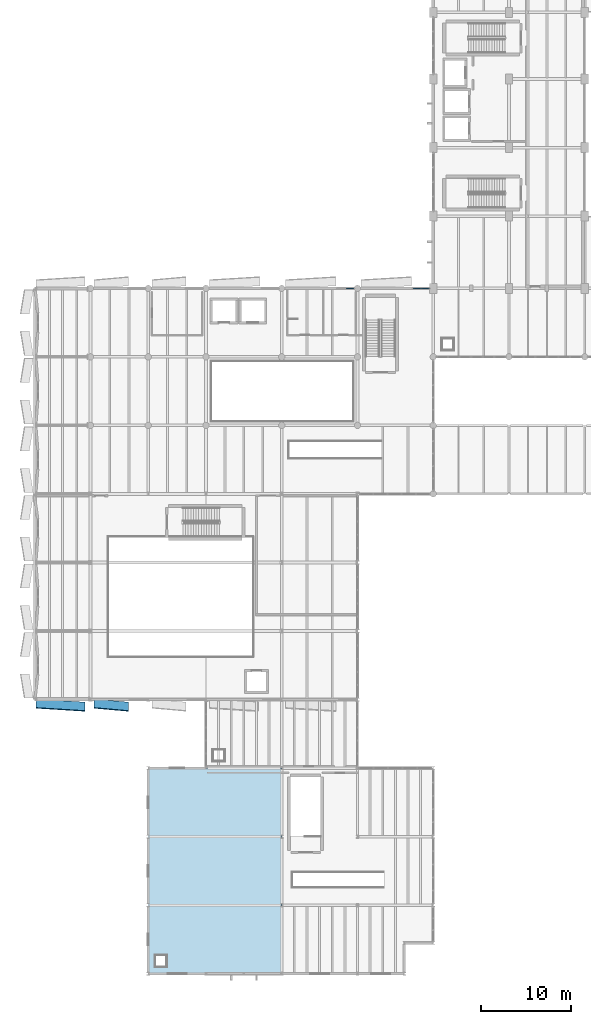
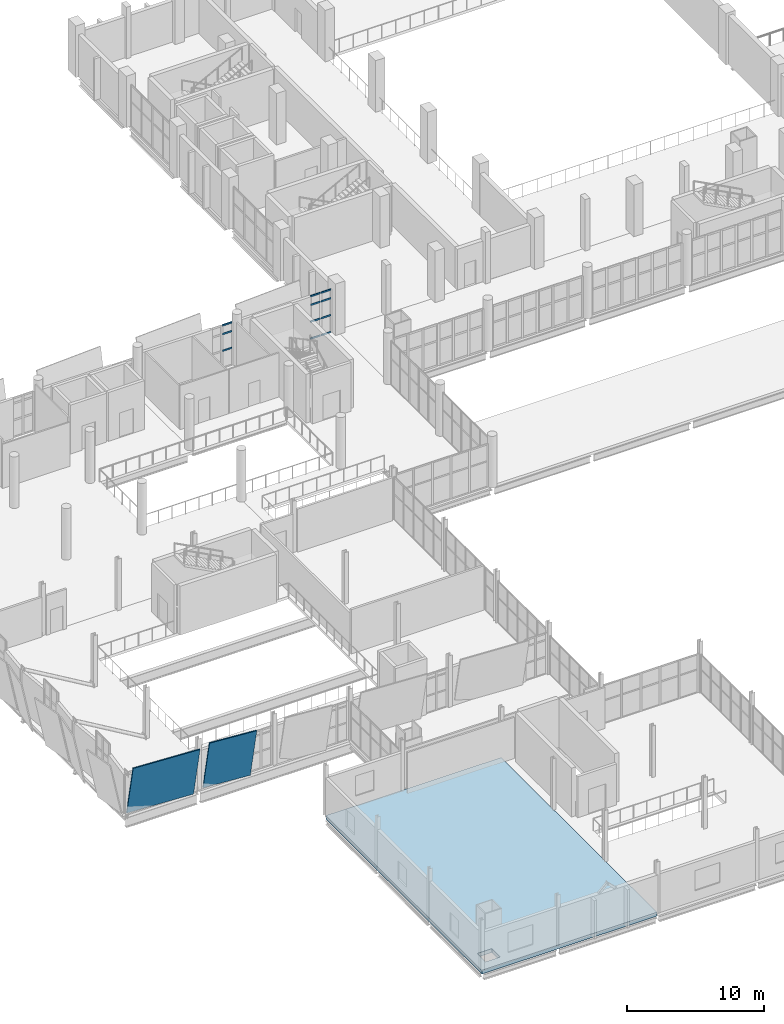
# One storey, part 96 of 136: 11 members, 2 plates, 1 slab, 2 elements without a shape of their own.
"""IFC4 building model written with IfcOpenShell, lengths in metres."""

from ifc_helpers import new_model, si_unit, direction, frame, origin, origin_2d, place, context, subcontext, project, spatial, polyline, hollow_rectangle, outline, extrude, material, layer, layer_set, material_profile, profile_set, type_object, element, aggregate, save


model = new_model("IFC4")

# Units and contexts
model_context = context("Model", 3, precision=1e-05, world=origin(), true_north=direction((0.0, 1.0)))
body_context = subcontext(model_context, "Body", "Model", "MODEL_VIEW")
ifc_project = project(units=[si_unit("LENGTHUNIT", "METRE"), si_unit("AREAUNIT", "SQUARE_METRE"), si_unit("VOLUMEUNIT", "CUBIC_METRE"), si_unit("PLANEANGLEUNIT", "RADIAN"), si_unit("MASSUNIT", "GRAM", prefix="KILO")], contexts=[model_context])

# Site, building, storey
site_placement = place(None, origin())
site = spatial("IfcSite", under=ifc_project, at=site_placement, CompositionType="ELEMENT")
building_placement = place(site_placement, origin())
building = spatial("IfcBuilding", under=site, at=building_placement, Name="Shengluoqiao Park Theatre", CompositionType="ELEMENT")
storey_placement = place(building_placement, frame((0.0, 0.0, 10.0)))
storey = spatial("IfcBuildingStorey", under=building, at=storey_placement, Name="L02", CompositionType="ELEMENT", Elevation=10.0)

# Curtain wall, members
ifc_material_1 = material(Name="Aluminium 6063-T6", Category="aluminium")
curtain_wall_type = type_object("IfcCurtainWallType", Name="ENV-CW-FOYER", PredefinedType="NOTDEFINED", material=ifc_material_1)
curtain_wall_1_placement = place(storey_placement, origin())
curtain_wall_1 = element("IfcCurtainWall", 1, at=curtain_wall_1_placement, inside=storey, type_object=curtain_wall_type, Name="L02 Curtain Wall CW-L02-0064", PredefinedType="NOTDEFINED")
ifc_material_profile = material_profile(ifc_material_1, hollow_rectangle(XDim=0.06494140625, YDim=0.14990234375, WallThickness=0.00390625, InnerFilletRadius=0.00390625, OuterFilletRadius=0.008056640625, at=origin_2d()), Name="ALU TRANSOM 150x65x4")
ifc_profile_set = profile_set([ifc_material_profile], Name="Aluminium 6063-T6")
member_type = type_object("IfcMemberType", Name="ENV-TRN-150", PredefinedType="USERDEFINED", material=ifc_profile_set)
member_1_placement = place(storey_placement, frame((34.74853515625, 76.0, 1.550048828125), z_axis=(1.0, 0.0, 0.0), x_axis=(0.0, 1.0, 0.0)))
member_1 = element("IfcMember", 2, at=member_1_placement, type_object=member_type, Name="CW-01 transom 2.2", ObjectType="TRANSOM", PredefinedType="USERDEFINED", context=body_context, shape_type="SweptSolid", body=[
    extrude(hollow_rectangle(XDim=0.06494140625, YDim=0.14990234375, WallThickness=0.00390625, InnerFilletRadius=0.00390625, OuterFilletRadius=0.008056640625, at=origin_2d()), origin(), (0.0, 0.0, 1.0), 0.83251953125),
])
member_2_placement = place(storey_placement, frame((34.74853515625, 76.0, 3.050048828125), z_axis=(1.0, 0.0, 0.0), x_axis=(0.0, 1.0, 0.0)))
member_2 = element("IfcMember", 3, at=member_2_placement, type_object=member_type, Name="CW-01 transom 2.3", ObjectType="TRANSOM", PredefinedType="USERDEFINED", context=body_context, shape_type="SweptSolid", body=[
    extrude(hollow_rectangle(XDim=0.06494140625, YDim=0.14990234375, WallThickness=0.00390625, InnerFilletRadius=0.00390625, OuterFilletRadius=0.008056640625, at=origin_2d()), origin(), (0.0, 0.0, 1.0), 0.83251953125),
])
member_3_placement = place(storey_placement, frame((34.74853515625, 76.0, 3.8173828125), z_axis=(1.0, 0.0, 0.0), x_axis=(0.0, 1.0, 0.0)))
member_3 = element("IfcMember", 4, at=member_3_placement, type_object=member_type, Name="CW-01 transom 2.4", ObjectType="TRANSOM", PredefinedType="USERDEFINED", context=body_context, shape_type="SweptSolid", body=[
    extrude(hollow_rectangle(XDim=0.06494140625, YDim=0.14990234375, WallThickness=0.00390625, InnerFilletRadius=0.00390625, OuterFilletRadius=0.008056640625, at=origin_2d()), origin(), (0.0, 0.0, 1.0), 0.83251953125),
])
aggregate(curtain_wall_1, [member_1, member_2, member_3])

curtain_wall_2_placement = place(storey_placement, origin())
curtain_wall_2 = element("IfcCurtainWall", 5, at=curtain_wall_2_placement, inside=storey, type_object=curtain_wall_type, Name="L02 Curtain Wall CW-L02-0065", PredefinedType="NOTDEFINED")
member_4_placement = place(storey_placement, frame((42.200927734375, 76.0, 0.032470703125), z_axis=(1.0, 0.0, 0.0), x_axis=(0.0, 1.0, 0.0)))
member_4 = element("IfcMember", 6, at=member_4_placement, type_object=member_type, Name="CW-01 transom 1.1", ObjectType="TRANSOM", PredefinedType="USERDEFINED", context=body_context, shape_type="SweptSolid", body=[
    extrude(hollow_rectangle(XDim=0.06494140625, YDim=0.14990234375, WallThickness=0.00390625, InnerFilletRadius=0.00390625, OuterFilletRadius=0.008056640625, at=origin_2d()), origin(), (0.0, 0.0, 1.0), 0.83251953125),
])
member_5_placement = place(storey_placement, frame((42.200927734375, 76.0, 1.550048828125), z_axis=(1.0, 0.0, 0.0), x_axis=(0.0, 1.0, 0.0)))
member_5 = element("IfcMember", 7, at=member_5_placement, type_object=member_type, Name="CW-01 transom 1.2", ObjectType="TRANSOM", PredefinedType="USERDEFINED", context=body_context, shape_type="SweptSolid", body=[
    extrude(hollow_rectangle(XDim=0.06494140625, YDim=0.14990234375, WallThickness=0.00390625, InnerFilletRadius=0.00390625, OuterFilletRadius=0.008056640625, at=origin_2d()), origin(), (0.0, 0.0, 1.0), 0.83251953125),
])
member_6_placement = place(storey_placement, frame((42.200927734375, 76.0, 3.050048828125), z_axis=(1.0, 0.0, 0.0), x_axis=(0.0, 1.0, 0.0)))
member_6 = element("IfcMember", 8, at=member_6_placement, type_object=member_type, Name="CW-01 transom 1.3", ObjectType="TRANSOM", PredefinedType="USERDEFINED", context=body_context, shape_type="SweptSolid", body=[
    extrude(hollow_rectangle(XDim=0.06494140625, YDim=0.14990234375, WallThickness=0.00390625, InnerFilletRadius=0.00390625, OuterFilletRadius=0.008056640625, at=origin_2d()), origin(), (0.0, 0.0, 1.0), 0.83251953125),
])
member_7_placement = place(storey_placement, frame((42.200927734375, 76.0, 3.8173828125), z_axis=(1.0, 0.0, 0.0), x_axis=(0.0, 1.0, 0.0)))
member_7 = element("IfcMember", 9, at=member_7_placement, type_object=member_type, Name="CW-01 transom 1.4", ObjectType="TRANSOM", PredefinedType="USERDEFINED", context=body_context, shape_type="SweptSolid", body=[
    extrude(hollow_rectangle(XDim=0.06494140625, YDim=0.14990234375, WallThickness=0.00390625, InnerFilletRadius=0.00390625, OuterFilletRadius=0.008056640625, at=origin_2d()), origin(), (0.0, 0.0, 1.0), 0.83251953125),
])
member_8_placement = place(storey_placement, frame((43.098388671875, 76.0, 0.032470703125), z_axis=(1.0, 0.0, 0.0), x_axis=(0.0, 1.0, 0.0)))
member_8 = element("IfcMember", 10, at=member_8_placement, type_object=member_type, Name="CW-01 transom 2.1", ObjectType="TRANSOM", PredefinedType="USERDEFINED", context=body_context, shape_type="SweptSolid", body=[
    extrude(hollow_rectangle(XDim=0.06494140625, YDim=0.14990234375, WallThickness=0.00390625, InnerFilletRadius=0.00390625, OuterFilletRadius=0.008056640625, at=origin_2d()), origin(), (0.0, 0.0, 1.0), 0.83251953125),
])
member_9_placement = place(storey_placement, frame((43.098388671875, 76.0, 1.550048828125), z_axis=(1.0, 0.0, 0.0), x_axis=(0.0, 1.0, 0.0)))
member_9 = element("IfcMember", 11, at=member_9_placement, type_object=member_type, Name="CW-01 transom 2.2", ObjectType="TRANSOM", PredefinedType="USERDEFINED", context=body_context, shape_type="SweptSolid", body=[
    extrude(hollow_rectangle(XDim=0.06494140625, YDim=0.14990234375, WallThickness=0.00390625, InnerFilletRadius=0.00390625, OuterFilletRadius=0.008056640625, at=origin_2d()), origin(), (0.0, 0.0, 1.0), 0.83251953125),
])
member_10_placement = place(storey_placement, frame((43.098388671875, 76.0, 3.050048828125), z_axis=(1.0, 0.0, 0.0), x_axis=(0.0, 1.0, 0.0)))
member_10 = element("IfcMember", 12, at=member_10_placement, type_object=member_type, Name="CW-01 transom 2.3", ObjectType="TRANSOM", PredefinedType="USERDEFINED", context=body_context, shape_type="SweptSolid", body=[
    extrude(hollow_rectangle(XDim=0.06494140625, YDim=0.14990234375, WallThickness=0.00390625, InnerFilletRadius=0.00390625, OuterFilletRadius=0.008056640625, at=origin_2d()), origin(), (0.0, 0.0, 1.0), 0.83251953125),
])
member_11_placement = place(storey_placement, frame((43.098388671875, 76.0, 3.8173828125), z_axis=(1.0, 0.0, 0.0), x_axis=(0.0, 1.0, 0.0)))
member_11 = element("IfcMember", 13, at=member_11_placement, type_object=member_type, Name="CW-01 transom 2.4", ObjectType="TRANSOM", PredefinedType="USERDEFINED", context=body_context, shape_type="SweptSolid", body=[
    extrude(hollow_rectangle(XDim=0.06494140625, YDim=0.14990234375, WallThickness=0.00390625, InnerFilletRadius=0.00390625, OuterFilletRadius=0.008056640625, at=origin_2d()), origin(), (0.0, 0.0, 1.0), 0.83251953125),
])
aggregate(curtain_wall_2, [member_4, member_5, member_6, member_7, member_8, member_9, member_10, member_11])

# Plates
ifc_material_2 = material(Name="Precast concrete C45", Category="concrete")
ifc_layer_1 = layer(ifc_material_2, 0.090087890625, Name="Precast concrete C45")
ifc_layer_set_1 = layer_set([ifc_layer_1], Name="Precast concrete C45")
plate_type = type_object("IfcPlateType", Name="ENV-CRYS-CP-090", PredefinedType="USERDEFINED", material=ifc_layer_set_1)
plate_1_placement = place(storey_placement, frame((0.35009765625, 30.4599609375, 0.0), z_axis=(0.06092606976, 0.977049321302, 0.204114276246), x_axis=(0.998061440801, -0.062236326909, 0.0)))
element("IfcPlate", 14, at=plate_1_placement, inside=storey, type_object=plate_type, Name="V3 South L02 Tilted White Precast Crystal Panel 036", ObjectType="FACADE PANEL", PredefinedType="USERDEFINED", context=body_context, shape_type="SweptSolid", body=[
    extrude(outline(polyline([(0.0, 0.0), (5.4605367456172065, 0.0), (5.519825355871051, -4.658125798756208), (0.05928861025384457, -4.658125798756208), (0.0, 0.0)])), origin(), (0.0, 0.0, -1.0), 0.090087890625),
])
plate_2_placement = place(storey_placement, frame((6.800048828125, 30.4599609375, 0.0), z_axis=(0.087208010068, 0.97513841718, 0.203715071412), x_axis=(0.996024839962, -0.089075912446, 0.0)))
element("IfcPlate", 15, at=plate_2_placement, inside=storey, type_object=plate_type, Name="V3 South L02 Tilted White Precast Crystal Panel 037", ObjectType="FACADE PANEL", PredefinedType="USERDEFINED", context=body_context, shape_type="SweptSolid", body=[
    extrude(outline(polyline([(0.0, 0.0), (3.815214918002425, 0.0), (3.9000719029549797, -4.657730175573587), (0.08485698495255505, -4.657730175573587), (0.0, 0.0)])), origin(), (0.0, 0.0, -1.0), 0.090087890625),
])

# Slab
ifc_material_3 = material(Name="Concrete C40", Category="concrete")
ifc_layer_2 = layer(ifc_material_3, 0.340087890625, Name="Concrete C40")
ifc_layer_set_2 = layer_set([ifc_layer_2], Name="Concrete C40")
slab_type = type_object("IfcSlabType", Name="STR-SLB-FL340", PredefinedType="FLOOR", material=ifc_layer_set_2)
slab_placement = place(storey_placement, frame((0.0, 0.0, -0.340087890625)))
element("IfcSlab", 16, at=slab_placement, inside=storey, type_object=slab_type, Name="Floor Slab L02-V4-EW", PredefinedType="FLOOR", context=body_context, shape_type="SweptSolid", body=[
    extrude(outline(polyline([(12.800048828125, 0.0), (12.800048828125, 22.800048828125), (27.60009765625, 22.800048828125), (27.60009765625, 0.0), (12.800048828125, 0.0)]), holes=[polyline([(14.820068359375, 0.800048828125), (14.820068359375, 2.02001953125), (13.60009765625, 2.02001953125), (13.60009765625, 0.800048828125), (14.820068359375, 0.800048828125)])]), origin(), (0.0, 0.0, 1.0), 0.340087890625),
])

save(model, "model.ifc")
